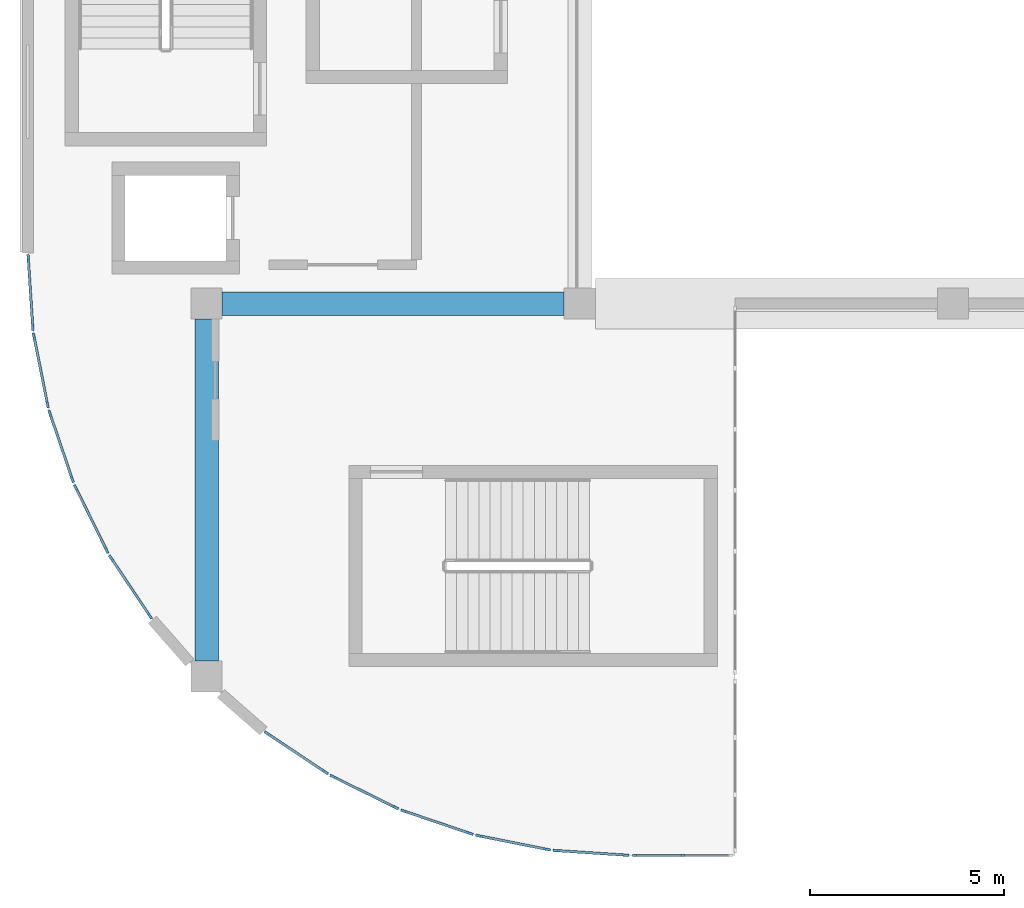
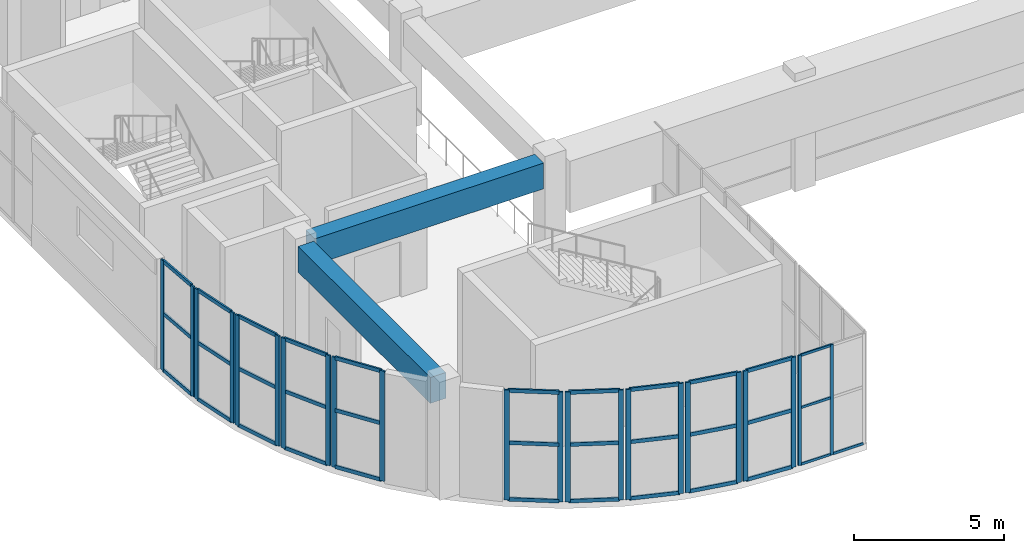
# One storey, part 2 of 33: 56 members, 2 beams, 11 elements without a shape of their own.
"""IFC4 building model written with IfcOpenShell, lengths in metres."""

from ifc_helpers import new_model, si_unit, direction, frame, origin, origin_2d, place, context, subcontext, project, spatial, rectangle, extrude, material, layer, layer_set, material_profile, profile_set, type_object, element, aggregate, save


model = new_model("IFC4")

# Units and contexts
model_context = context("Model", 3, precision=1e-05, world=origin(), true_north=direction((0.0, 1.0)))
body_context = subcontext(model_context, "Body", "Model", "MODEL_VIEW")
ifc_project = project(units=[si_unit("LENGTHUNIT", "METRE"), si_unit("AREAUNIT", "SQUARE_METRE"), si_unit("VOLUMEUNIT", "CUBIC_METRE"), si_unit("PLANEANGLEUNIT", "RADIAN"), si_unit("MASSUNIT", "GRAM", prefix="KILO")], contexts=[model_context])

# Site, building, storey
site_placement = place(None, origin())
site = spatial("IfcSite", under=ifc_project, at=site_placement, CompositionType="ELEMENT")
building_placement = place(site_placement, origin())
building = spatial("IfcBuilding", under=site, at=building_placement, Name="Cendralis Terraced Arcade", CompositionType="ELEMENT")
storey_placement = place(building_placement, frame((0.0, 0.0, 19.800048828125)))
storey = spatial("IfcBuildingStorey", under=building, at=storey_placement, Name="L04", CompositionType="ELEMENT", Elevation=19.800048828125)

# Beams
ifc_material_1 = material(Name="Concrete f'c 35 MPa", Category="concrete")
ifc_material_profile_1 = material_profile(ifc_material_1, rectangle(XDim=0.60009765625, YDim=1.050048828125, at=origin_2d()), Name="RC-BM-600x1050", Category="LoadBearing")
ifc_profile_set_1 = profile_set([ifc_material_profile_1], Name="Concrete f'c 35 MPa")
beam_type = type_object("IfcBeamType", Name="BM-600x1050", PredefinedType="JOIST", material=ifc_profile_set_1)
for number, where, z_axis, x_axis, name in (
    (1, (10.0, 19.199951171875, 3.954833984375), (1.0, 0.0, 0.0), (0.0, 1.0, 0.0), "Reinforced Concrete Frame Beam BM-X-L05-C-2_3"),
    (2, (9.60009765625, 10.0, 3.954833984375), (0.0, 1.0, 0.0), (-1.0, 0.0, 0.0), "Reinforced Concrete Frame Beam BM-Y-L05-2-B_C"),
):
    element("IfcBeam", number, at=place(storey_placement, frame(where, z_axis=z_axis, x_axis=x_axis)), inside=storey, type_object=beam_type, Name=name, PredefinedType="JOIST", context=body_context, shape_type="SweptSolid", body=[
        extrude(rectangle(XDim=0.60009765625, YDim=1.050048828125, at=origin_2d()), origin(), (0.0, 0.0, 1.0), 8.800048828125),
    ])

# Curtain wall, members
ifc_material_2 = material(Name="Anodised aluminium EN AW-6063 T6", Category="aluminium")
ifc_layer_1 = layer(ifc_material_2, 0.1201171875, Name="CW-STORE-B")
ifc_layer_set_1 = layer_set([ifc_layer_1], Name="Anodised aluminium EN AW-6063 T6")
curtain_wall_type_1 = type_object("IfcCurtainWallType", Name="CW-STORE-B", PredefinedType="USERDEFINED", material=ifc_layer_set_1)
curtain_wall_1_placement = place(storey_placement, origin())
curtain_wall_1 = element("IfcCurtainWall", 3, at=curtain_wall_1_placement, inside=storey, type_object=curtain_wall_type_1, Name="Exterior Storefront Glazing CW-L04-0353", ObjectType="STOREFRONT GLAZING", PredefinedType="USERDEFINED")
ifc_material_profile_2 = material_profile(ifc_material_2, rectangle(XDim=0.054931640625, YDim=0.1201171875, at=origin_2d()), Name="ALU-MUL-55x120")
ifc_profile_set_2 = profile_set([ifc_material_profile_2], Name="Anodised aluminium EN AW-6063 T6")
member_type_1 = type_object("IfcMemberType", Name="CW-STORE-B-MUL", PredefinedType="MULLION", material=ifc_profile_set_2)
member_1_placement = place(storey_placement, frame((21.85009765625, 5.0, 0.0), z_axis=(0.0, 0.0, 1.0), x_axis=(0.0, -1.0, 0.0)))
member_1 = element("IfcMember", 4, at=member_1_placement, type_object=member_type_1, Name="CW-S2 mullion 2", PredefinedType="MULLION", context=body_context, shape_type="SweptSolid", body=[
    extrude(rectangle(XDim=0.054931640625, YDim=0.1201171875, at=origin_2d()), origin(), (0.0, 0.0, 1.0), 4.47998046875),
])
member_2_placement = place(storey_placement, frame((20.617431640625, 5.0, 0.0), z_axis=(0.0, 0.0, 1.0), x_axis=(0.0, -1.0, 0.0)))
member_2 = element("IfcMember", 5, at=member_2_placement, type_object=member_type_1, Name="CW-S2 mullion 3", PredefinedType="MULLION", context=body_context, shape_type="SweptSolid", body=[
    extrude(rectangle(XDim=0.054931640625, YDim=0.1201171875, at=origin_2d()), origin(), (0.0, 0.0, 1.0), 4.47998046875),
])
ifc_material_profile_3 = material_profile(ifc_material_2, rectangle(XDim=0.054931640625, YDim=0.10009765625, at=origin_2d()), Name="ALU-TRN-55x100")
ifc_profile_set_3 = profile_set([ifc_material_profile_3], Name="Anodised aluminium EN AW-6063 T6")
member_type_2 = type_object("IfcMemberType", Name="CW-STORE-B-TRN", PredefinedType="USERDEFINED", material=ifc_profile_set_3)
member_3_placement = place(storey_placement, frame((23.054931640625, 5.0, 0.02734375), z_axis=(-1.0, 0.0, 0.0), x_axis=(0.0, -1.0, 0.0)))
member_3 = element("IfcMember", 6, at=member_3_placement, type_object=member_type_2, Name="CW-S2 transom 1.1", ObjectType="TRANSOM", PredefinedType="USERDEFINED", context=body_context, shape_type="SweptSolid", body=[
    extrude(rectangle(XDim=0.054931640625, YDim=0.10009765625, at=origin_2d()), origin(), (0.0, 0.0, 1.0), 1.177490234375),
])
member_4_placement = place(storey_placement, frame((21.822509765625, 5.0, 0.02734375), z_axis=(-1.0, 0.0, 0.0), x_axis=(0.0, -1.0, 0.0)))
member_4 = element("IfcMember", 7, at=member_4_placement, type_object=member_type_2, Name="CW-S2 transom 2.1", ObjectType="TRANSOM", PredefinedType="USERDEFINED", context=body_context, shape_type="SweptSolid", body=[
    extrude(rectangle(XDim=0.054931640625, YDim=0.10009765625, at=origin_2d()), origin(), (0.0, 0.0, 1.0), 1.177490234375),
])
member_5_placement = place(storey_placement, frame((21.822509765625, 5.0, 2.32958984375), z_axis=(-1.0, 0.0, 0.0), x_axis=(0.0, -1.0, 0.0)))
member_5 = element("IfcMember", 8, at=member_5_placement, type_object=member_type_2, Name="CW-S2 transom 2.2", ObjectType="TRANSOM", PredefinedType="USERDEFINED", context=body_context, shape_type="SweptSolid", body=[
    extrude(rectangle(XDim=0.054931640625, YDim=0.10009765625, at=origin_2d()), origin(), (0.0, 0.0, 1.0), 1.177490234375),
])
member_6_placement = place(storey_placement, frame((21.822509765625, 5.0, 4.452392578125), z_axis=(-1.0, 0.0, 0.0), x_axis=(0.0, -1.0, 0.0)))
member_6 = element("IfcMember", 9, at=member_6_placement, type_object=member_type_2, Name="CW-S2 transom 2.3", ObjectType="TRANSOM", PredefinedType="USERDEFINED", context=body_context, shape_type="SweptSolid", body=[
    extrude(rectangle(XDim=0.054931640625, YDim=0.10009765625, at=origin_2d()), origin(), (0.0, 0.0, 1.0), 1.177490234375),
])
aggregate(curtain_wall_1, [member_1, member_2, member_3, member_4, member_5, member_6])

ifc_layer_2 = layer(ifc_material_2, 0.179931640625, Name="CW-UNIT-A")
ifc_layer_set_2 = layer_set([ifc_layer_2], Name="Anodised aluminium EN AW-6063 T6")
curtain_wall_type_2 = type_object("IfcCurtainWallType", Name="CW-UNIT-A", PredefinedType="USERDEFINED", material=ifc_layer_set_2)
curtain_wall_2_placement = place(storey_placement, origin())
curtain_wall_2 = element("IfcCurtainWall", 10, at=curtain_wall_2_placement, inside=storey, type_object=curtain_wall_type_2, Name="Exterior Unitised Facade CW-L04-0354", ObjectType="UNITISED FACADE", PredefinedType="USERDEFINED")
ifc_material_profile_4 = material_profile(ifc_material_2, rectangle(XDim=0.06494140625, YDim=0.179931640625, at=origin_2d()), Name="ALU-MUL-65x180")
ifc_profile_set_4 = profile_set([ifc_material_profile_4], Name="Anodised aluminium EN AW-6063 T6")
member_type_3 = type_object("IfcMemberType", Name="CW-UNIT-A-MUL", PredefinedType="MULLION", material=ifc_profile_set_4)
member_7_placement = place(storey_placement, frame((20.377685546875, 5.008056640625, 0.0), z_axis=(0.0, 0.0, 1.0), x_axis=(-0.065383766124, -0.997860192175, 0.0)))
member_7 = element("IfcMember", 11, at=member_7_placement, type_object=member_type_3, Name="CW-U1 mullion 1", PredefinedType="MULLION", context=body_context, shape_type="SweptSolid", body=[
    extrude(rectangle(XDim=0.06494140625, YDim=0.179931640625, at=origin_2d()), origin(), (0.0, 0.0, 1.0), 4.47998046875),
])
member_8_placement = place(storey_placement, frame((18.59912109375, 5.12451171875, 0.0), z_axis=(0.0, 0.0, 1.0), x_axis=(-0.065383766124, -0.997860192175, 0.0)))
member_8 = element("IfcMember", 12, at=member_8_placement, type_object=member_type_3, Name="CW-U1 mullion 2", PredefinedType="MULLION", context=body_context, shape_type="SweptSolid", body=[
    extrude(rectangle(XDim=0.06494140625, YDim=0.179931640625, at=origin_2d()), origin(), (0.0, 0.0, 1.0), 4.47998046875),
])

curtain_wall_3_placement = place(storey_placement, origin())
curtain_wall_3 = element("IfcCurtainWall", 13, at=curtain_wall_3_placement, inside=storey, type_object=curtain_wall_type_2, Name="Exterior Unitised Facade CW-L04-0355", ObjectType="UNITISED FACADE", PredefinedType="USERDEFINED")
member_9_placement = place(storey_placement, frame((18.356689453125, 5.156494140625, 0.0), z_axis=(0.0, 0.0, 1.0), x_axis=(-0.195033398913, -0.980796601395, 0.0)))
member_9 = element("IfcMember", 14, at=member_9_placement, type_object=member_type_3, Name="CW-U1 mullion 1", PredefinedType="MULLION", context=body_context, shape_type="SweptSolid", body=[
    extrude(rectangle(XDim=0.06494140625, YDim=0.179931640625, at=origin_2d()), origin(), (0.0, 0.0, 1.0), 4.47998046875),
])
member_10_placement = place(storey_placement, frame((16.6083984375, 5.504150390625, 0.0), z_axis=(0.0, 0.0, 1.0), x_axis=(-0.195033398913, -0.980796601395, 0.0)))
member_10 = element("IfcMember", 15, at=member_10_placement, type_object=member_type_3, Name="CW-U1 mullion 2", PredefinedType="MULLION", context=body_context, shape_type="SweptSolid", body=[
    extrude(rectangle(XDim=0.06494140625, YDim=0.179931640625, at=origin_2d()), origin(), (0.0, 0.0, 1.0), 4.47998046875),
])

curtain_wall_4_placement = place(storey_placement, origin())
curtain_wall_4 = element("IfcCurtainWall", 16, at=curtain_wall_4_placement, inside=storey, type_object=curtain_wall_type_2, Name="Exterior Unitised Facade CW-L04-0356", ObjectType="UNITISED FACADE", PredefinedType="USERDEFINED")
member_11_placement = place(storey_placement, frame((16.372314453125, 5.5673828125, 0.0), z_axis=(0.0, 0.0, 1.0), x_axis=(-0.32150002033, -0.946909571674, 0.0)))
member_11 = element("IfcMember", 17, at=member_11_placement, type_object=member_type_3, Name="CW-U1 mullion 1", PredefinedType="MULLION", context=body_context, shape_type="SweptSolid", body=[
    extrude(rectangle(XDim=0.06494140625, YDim=0.179931640625, at=origin_2d()), origin(), (0.0, 0.0, 1.0), 4.47998046875),
])
member_12_placement = place(storey_placement, frame((14.684326171875, 6.140625, 0.0), z_axis=(0.0, 0.0, 1.0), x_axis=(-0.32150002033, -0.946909571674, 0.0)))
member_12 = element("IfcMember", 18, at=member_12_placement, type_object=member_type_3, Name="CW-U1 mullion 2", PredefinedType="MULLION", context=body_context, shape_type="SweptSolid", body=[
    extrude(rectangle(XDim=0.06494140625, YDim=0.179931640625, at=origin_2d()), origin(), (0.0, 0.0, 1.0), 4.47998046875),
])

curtain_wall_5_placement = place(storey_placement, origin())
curtain_wall_5 = element("IfcCurtainWall", 19, at=curtain_wall_5_placement, inside=storey, type_object=curtain_wall_type_2, Name="Exterior Unitised Facade CW-L04-0357", ObjectType="UNITISED FACADE", PredefinedType="USERDEFINED")
member_13_placement = place(storey_placement, frame((14.45849609375, 6.234130859375, 0.0), z_axis=(0.0, 0.0, 1.0), x_axis=(-0.442270416572, -0.896881752867, 0.0)))
member_13 = element("IfcMember", 20, at=member_13_placement, type_object=member_type_3, Name="CW-U1 mullion 1", PredefinedType="MULLION", context=body_context, shape_type="SweptSolid", body=[
    extrude(rectangle(XDim=0.06494140625, YDim=0.179931640625, at=origin_2d()), origin(), (0.0, 0.0, 1.0), 4.47998046875),
])
member_14_placement = place(storey_placement, frame((12.85986328125, 7.0224609375, 0.0), z_axis=(0.0, 0.0, 1.0), x_axis=(-0.442270416572, -0.896881752867, 0.0)))
member_14 = element("IfcMember", 21, at=member_14_placement, type_object=member_type_3, Name="CW-U1 mullion 2", PredefinedType="MULLION", context=body_context, shape_type="SweptSolid", body=[
    extrude(rectangle(XDim=0.06494140625, YDim=0.179931640625, at=origin_2d()), origin(), (0.0, 0.0, 1.0), 4.47998046875),
])

curtain_wall_6_placement = place(storey_placement, origin())
curtain_wall_6 = element("IfcCurtainWall", 22, at=curtain_wall_6_placement, inside=storey, type_object=curtain_wall_type_2, Name="Exterior Unitised Facade CW-L04-0358", ObjectType="UNITISED FACADE", PredefinedType="USERDEFINED")
member_15_placement = place(storey_placement, frame((12.648193359375, 7.144775390625, 0.0), z_axis=(0.0, 0.0, 1.0), x_axis=(-0.555549269065, -0.831483619587, 0.0)))
member_15 = element("IfcMember", 23, at=member_15_placement, type_object=member_type_3, Name="CW-U1 mullion 1", PredefinedType="MULLION", context=body_context, shape_type="SweptSolid", body=[
    extrude(rectangle(XDim=0.06494140625, YDim=0.179931640625, at=origin_2d()), origin(), (0.0, 0.0, 1.0), 4.47998046875),
])
member_16_placement = place(storey_placement, frame((11.166015625, 8.135009765625, 0.0), z_axis=(0.0, 0.0, 1.0), x_axis=(-0.555549269065, -0.831483619587, 0.0)))
member_16 = element("IfcMember", 24, at=member_16_placement, type_object=member_type_3, Name="CW-U1 mullion 2", PredefinedType="MULLION", context=body_context, shape_type="SweptSolid", body=[
    extrude(rectangle(XDim=0.06494140625, YDim=0.179931640625, at=origin_2d()), origin(), (0.0, 0.0, 1.0), 4.47998046875),
])

curtain_wall_7_placement = place(storey_placement, origin())
curtain_wall_7 = element("IfcCurtainWall", 25, at=curtain_wall_7_placement, inside=storey, type_object=curtain_wall_type_2, Name="Exterior Unitised Facade CW-L04-0359", ObjectType="UNITISED FACADE", PredefinedType="USERDEFINED")
member_17_placement = place(storey_placement, frame((8.135009765625, 11.166015625, 0.0), z_axis=(0.0, 0.0, 1.0), x_axis=(-0.831483619587, -0.555549269065, 0.0)))
member_17 = element("IfcMember", 26, at=member_17_placement, type_object=member_type_3, Name="CW-U1 mullion 1", PredefinedType="MULLION", context=body_context, shape_type="SweptSolid", body=[
    extrude(rectangle(XDim=0.06494140625, YDim=0.179931640625, at=origin_2d()), origin(), (0.0, 0.0, 1.0), 4.47998046875),
])
member_18_placement = place(storey_placement, frame((7.144775390625, 12.648193359375, 0.0), z_axis=(0.0, 0.0, 1.0), x_axis=(-0.831483619587, -0.555549269065, 0.0)))
member_18 = element("IfcMember", 27, at=member_18_placement, type_object=member_type_3, Name="CW-U1 mullion 2", PredefinedType="MULLION", context=body_context, shape_type="SweptSolid", body=[
    extrude(rectangle(XDim=0.06494140625, YDim=0.179931640625, at=origin_2d()), origin(), (0.0, 0.0, 1.0), 4.47998046875),
])

curtain_wall_8_placement = place(storey_placement, origin())
curtain_wall_8 = element("IfcCurtainWall", 28, at=curtain_wall_8_placement, inside=storey, type_object=curtain_wall_type_2, Name="Exterior Unitised Facade CW-L04-0360", ObjectType="UNITISED FACADE", PredefinedType="USERDEFINED")
member_19_placement = place(storey_placement, frame((7.0224609375, 12.85986328125, 0.0), z_axis=(0.0, 0.0, 1.0), x_axis=(-0.896881752867, -0.442270416572, 0.0)))
member_19 = element("IfcMember", 29, at=member_19_placement, type_object=member_type_3, Name="CW-U1 mullion 1", PredefinedType="MULLION", context=body_context, shape_type="SweptSolid", body=[
    extrude(rectangle(XDim=0.06494140625, YDim=0.179931640625, at=origin_2d()), origin(), (0.0, 0.0, 1.0), 4.47998046875),
])
member_20_placement = place(storey_placement, frame((6.234130859375, 14.45849609375, 0.0), z_axis=(0.0, 0.0, 1.0), x_axis=(-0.896881752867, -0.442270416572, 0.0)))
member_20 = element("IfcMember", 30, at=member_20_placement, type_object=member_type_3, Name="CW-U1 mullion 2", PredefinedType="MULLION", context=body_context, shape_type="SweptSolid", body=[
    extrude(rectangle(XDim=0.06494140625, YDim=0.179931640625, at=origin_2d()), origin(), (0.0, 0.0, 1.0), 4.47998046875),
])

curtain_wall_9_placement = place(storey_placement, origin())
curtain_wall_9 = element("IfcCurtainWall", 31, at=curtain_wall_9_placement, inside=storey, type_object=curtain_wall_type_2, Name="Exterior Unitised Facade CW-L04-0361", ObjectType="UNITISED FACADE", PredefinedType="USERDEFINED")
member_21_placement = place(storey_placement, frame((6.140625, 14.684326171875, 0.0), z_axis=(0.0, 0.0, 1.0), x_axis=(-0.946909571674, -0.32150002033, 0.0)))
member_21 = element("IfcMember", 32, at=member_21_placement, type_object=member_type_3, Name="CW-U1 mullion 1", PredefinedType="MULLION", context=body_context, shape_type="SweptSolid", body=[
    extrude(rectangle(XDim=0.06494140625, YDim=0.179931640625, at=origin_2d()), origin(), (0.0, 0.0, 1.0), 4.47998046875),
])
member_22_placement = place(storey_placement, frame((5.5673828125, 16.372314453125, 0.0), z_axis=(0.0, 0.0, 1.0), x_axis=(-0.946909571674, -0.32150002033, 0.0)))
member_22 = element("IfcMember", 33, at=member_22_placement, type_object=member_type_3, Name="CW-U1 mullion 2", PredefinedType="MULLION", context=body_context, shape_type="SweptSolid", body=[
    extrude(rectangle(XDim=0.06494140625, YDim=0.179931640625, at=origin_2d()), origin(), (0.0, 0.0, 1.0), 4.47998046875),
])

curtain_wall_10_placement = place(storey_placement, origin())
curtain_wall_10 = element("IfcCurtainWall", 34, at=curtain_wall_10_placement, inside=storey, type_object=curtain_wall_type_2, Name="Exterior Unitised Facade CW-L04-0362", ObjectType="UNITISED FACADE", PredefinedType="USERDEFINED")
member_23_placement = place(storey_placement, frame((5.504150390625, 16.6083984375, 0.0), z_axis=(0.0, 0.0, 1.0), x_axis=(-0.980796601395, -0.195033398913, 0.0)))
member_23 = element("IfcMember", 35, at=member_23_placement, type_object=member_type_3, Name="CW-U1 mullion 1", PredefinedType="MULLION", context=body_context, shape_type="SweptSolid", body=[
    extrude(rectangle(XDim=0.06494140625, YDim=0.179931640625, at=origin_2d()), origin(), (0.0, 0.0, 1.0), 4.47998046875),
])
member_24_placement = place(storey_placement, frame((5.156494140625, 18.356689453125, 0.0), z_axis=(0.0, 0.0, 1.0), x_axis=(-0.980796601395, -0.195033398913, 0.0)))
member_24 = element("IfcMember", 36, at=member_24_placement, type_object=member_type_3, Name="CW-U1 mullion 2", PredefinedType="MULLION", context=body_context, shape_type="SweptSolid", body=[
    extrude(rectangle(XDim=0.06494140625, YDim=0.179931640625, at=origin_2d()), origin(), (0.0, 0.0, 1.0), 4.47998046875),
])

curtain_wall_11_placement = place(storey_placement, origin())
curtain_wall_11 = element("IfcCurtainWall", 37, at=curtain_wall_11_placement, inside=storey, type_object=curtain_wall_type_2, Name="Exterior Unitised Facade CW-L04-0363", ObjectType="UNITISED FACADE", PredefinedType="USERDEFINED")
member_25_placement = place(storey_placement, frame((5.12451171875, 18.59912109375, 0.0), z_axis=(0.0, 0.0, 1.0), x_axis=(-0.997860192175, -0.065383766124, 0.0)))
member_25 = element("IfcMember", 38, at=member_25_placement, type_object=member_type_3, Name="CW-U1 mullion 1", PredefinedType="MULLION", context=body_context, shape_type="SweptSolid", body=[
    extrude(rectangle(XDim=0.06494140625, YDim=0.179931640625, at=origin_2d()), origin(), (0.0, 0.0, 1.0), 4.47998046875),
])
member_26_placement = place(storey_placement, frame((5.008056640625, 20.377685546875, 0.0), z_axis=(0.0, 0.0, 1.0), x_axis=(-0.997860192175, -0.065383766124, 0.0)))
member_26 = element("IfcMember", 39, at=member_26_placement, type_object=member_type_3, Name="CW-U1 mullion 2", PredefinedType="MULLION", context=body_context, shape_type="SweptSolid", body=[
    extrude(rectangle(XDim=0.06494140625, YDim=0.179931640625, at=origin_2d()), origin(), (0.0, 0.0, 1.0), 4.47998046875),
])

# Member
ifc_material_profile_5 = material_profile(ifc_material_2, rectangle(XDim=0.06494140625, YDim=0.14990234375, at=origin_2d()), Name="ALU-TRN-65x150")
ifc_profile_set_5 = profile_set([ifc_material_profile_5], Name="Anodised aluminium EN AW-6063 T6")
member_type_4 = type_object("IfcMemberType", Name="CW-UNIT-A-TRN", PredefinedType="USERDEFINED", material=ifc_profile_set_5)
member_27_placement = place(storey_placement, frame((20.345458984375, 5.01025390625, 0.032470703125), z_axis=(-0.997860598557, 0.065377563785, 0.0), x_axis=(-0.065377563785, -0.997860598557, 0.0)))
member_27 = element("IfcMember", 40, at=member_27_placement, type_object=member_type_4, Name="CW-U1 transom 1.1", ObjectType="TRANSOM", PredefinedType="USERDEFINED", context=body_context, shape_type="SweptSolid", body=[
    extrude(rectangle(XDim=0.06494140625, YDim=0.14990234375, at=origin_2d()), origin(), (0.0, 0.0, 1.0), 1.7177734375),
])

member_28_placement = place(storey_placement, frame((20.345458984375, 5.01025390625, 2.32958984375), z_axis=(-0.997860598557, 0.065377563785, 0.0), x_axis=(-0.065377563785, -0.997860598557, 0.0)))
member_28 = element("IfcMember", 41, at=member_28_placement, type_object=member_type_4, Name="CW-U1 transom 1.2", ObjectType="TRANSOM", PredefinedType="USERDEFINED", context=body_context, shape_type="SweptSolid", body=[
    extrude(rectangle(XDim=0.06494140625, YDim=0.14990234375, at=origin_2d()), origin(), (0.0, 0.0, 1.0), 1.7177734375),
])

member_29_placement = place(storey_placement, frame((20.345458984375, 5.01025390625, 4.447509765625), z_axis=(-0.997860598557, 0.065377563785, 0.0), x_axis=(-0.065377563785, -0.997860598557, 0.0)))
member_29 = element("IfcMember", 42, at=member_29_placement, type_object=member_type_4, Name="CW-U1 transom 1.3", ObjectType="TRANSOM", PredefinedType="USERDEFINED", context=body_context, shape_type="SweptSolid", body=[
    extrude(rectangle(XDim=0.06494140625, YDim=0.14990234375, at=origin_2d()), origin(), (0.0, 0.0, 1.0), 1.7177734375),
])

aggregate(curtain_wall_2, [member_7, member_8, member_27, member_28, member_29])

member_30_placement = place(storey_placement, frame((18.32470703125, 5.162841796875, 0.032470703125), z_axis=(-0.980793342855, 0.195049784954, 0.0), x_axis=(-0.195049784954, -0.980793342855, 0.0)))
member_30 = element("IfcMember", 43, at=member_30_placement, type_object=member_type_4, Name="CW-U1 transom 1.1", ObjectType="TRANSOM", PredefinedType="USERDEFINED", context=body_context, shape_type="SweptSolid", body=[
    extrude(rectangle(XDim=0.06494140625, YDim=0.14990234375, at=origin_2d()), origin(), (0.0, 0.0, 1.0), 1.71728515625),
])

member_31_placement = place(storey_placement, frame((18.32470703125, 5.162841796875, 2.32958984375), z_axis=(-0.980793342855, 0.195049784954, 0.0), x_axis=(-0.195049784954, -0.980793342855, 0.0)))
member_31 = element("IfcMember", 44, at=member_31_placement, type_object=member_type_4, Name="CW-U1 transom 1.2", ObjectType="TRANSOM", PredefinedType="USERDEFINED", context=body_context, shape_type="SweptSolid", body=[
    extrude(rectangle(XDim=0.06494140625, YDim=0.14990234375, at=origin_2d()), origin(), (0.0, 0.0, 1.0), 1.71728515625),
])

member_32_placement = place(storey_placement, frame((18.32470703125, 5.162841796875, 4.447509765625), z_axis=(-0.980793342855, 0.195049784954, 0.0), x_axis=(-0.195049784954, -0.980793342855, 0.0)))
member_32 = element("IfcMember", 45, at=member_32_placement, type_object=member_type_4, Name="CW-U1 transom 1.3", ObjectType="TRANSOM", PredefinedType="USERDEFINED", context=body_context, shape_type="SweptSolid", body=[
    extrude(rectangle(XDim=0.06494140625, YDim=0.14990234375, at=origin_2d()), origin(), (0.0, 0.0, 1.0), 1.71728515625),
])

aggregate(curtain_wall_3, [member_9, member_10, member_30, member_31, member_32])

member_33_placement = place(storey_placement, frame((16.341552734375, 5.577880859375, 0.032470703125), z_axis=(-0.946906084256, 0.321510291592, 0.0), x_axis=(-0.321510291592, -0.946906084256, 0.0)))
member_33 = element("IfcMember", 46, at=member_33_placement, type_object=member_type_4, Name="CW-U1 transom 1.1", ObjectType="TRANSOM", PredefinedType="USERDEFINED", context=body_context, shape_type="SweptSolid", body=[
    extrude(rectangle(XDim=0.06494140625, YDim=0.14990234375, at=origin_2d()), origin(), (0.0, 0.0, 1.0), 1.7177734375),
])

member_34_placement = place(storey_placement, frame((16.341552734375, 5.577880859375, 2.32958984375), z_axis=(-0.946906084256, 0.321510291592, 0.0), x_axis=(-0.321510291592, -0.946906084256, 0.0)))
member_34 = element("IfcMember", 47, at=member_34_placement, type_object=member_type_4, Name="CW-U1 transom 1.2", ObjectType="TRANSOM", PredefinedType="USERDEFINED", context=body_context, shape_type="SweptSolid", body=[
    extrude(rectangle(XDim=0.06494140625, YDim=0.14990234375, at=origin_2d()), origin(), (0.0, 0.0, 1.0), 1.7177734375),
])

member_35_placement = place(storey_placement, frame((16.341552734375, 5.577880859375, 4.447509765625), z_axis=(-0.946906084256, 0.321510291592, 0.0), x_axis=(-0.321510291592, -0.946906084256, 0.0)))
member_35 = element("IfcMember", 48, at=member_35_placement, type_object=member_type_4, Name="CW-U1 transom 1.3", ObjectType="TRANSOM", PredefinedType="USERDEFINED", context=body_context, shape_type="SweptSolid", body=[
    extrude(rectangle(XDim=0.06494140625, YDim=0.14990234375, at=origin_2d()), origin(), (0.0, 0.0, 1.0), 1.7177734375),
])

aggregate(curtain_wall_4, [member_11, member_12, member_33, member_34, member_35])

member_36_placement = place(storey_placement, frame((14.429443359375, 6.24853515625, 0.032470703125), z_axis=(-0.896914892552, 0.442203206138, 0.0), x_axis=(-0.442203206138, -0.896914892552, 0.0)))
member_36 = element("IfcMember", 49, at=member_36_placement, type_object=member_type_4, Name="CW-U1 transom 1.1", ObjectType="TRANSOM", PredefinedType="USERDEFINED", context=body_context, shape_type="SweptSolid", body=[
    extrude(rectangle(XDim=0.06494140625, YDim=0.14990234375, at=origin_2d()), origin(), (0.0, 0.0, 1.0), 1.717529296875),
])

member_37_placement = place(storey_placement, frame((14.429443359375, 6.24853515625, 2.32958984375), z_axis=(-0.896914892552, 0.442203206138, 0.0), x_axis=(-0.442203206138, -0.896914892552, 0.0)))
member_37 = element("IfcMember", 50, at=member_37_placement, type_object=member_type_4, Name="CW-U1 transom 1.2", ObjectType="TRANSOM", PredefinedType="USERDEFINED", context=body_context, shape_type="SweptSolid", body=[
    extrude(rectangle(XDim=0.06494140625, YDim=0.14990234375, at=origin_2d()), origin(), (0.0, 0.0, 1.0), 1.717529296875),
])

member_38_placement = place(storey_placement, frame((14.429443359375, 6.24853515625, 4.447509765625), z_axis=(-0.896914892552, 0.442203206138, 0.0), x_axis=(-0.442203206138, -0.896914892552, 0.0)))
member_38 = element("IfcMember", 51, at=member_38_placement, type_object=member_type_4, Name="CW-U1 transom 1.3", ObjectType="TRANSOM", PredefinedType="USERDEFINED", context=body_context, shape_type="SweptSolid", body=[
    extrude(rectangle(XDim=0.06494140625, YDim=0.14990234375, at=origin_2d()), origin(), (0.0, 0.0, 1.0), 1.717529296875),
])

aggregate(curtain_wall_5, [member_13, member_14, member_36, member_37, member_38])

member_39_placement = place(storey_placement, frame((12.62109375, 7.16259765625, 0.032470703125), z_axis=(-0.831415557935, 0.555651122579, 0.0), x_axis=(-0.555651122579, -0.831415557935, 0.0)))
member_39 = element("IfcMember", 52, at=member_39_placement, type_object=member_type_4, Name="CW-U1 transom 1.1", ObjectType="TRANSOM", PredefinedType="USERDEFINED", context=body_context, shape_type="SweptSolid", body=[
    extrude(rectangle(XDim=0.06494140625, YDim=0.14990234375, at=origin_2d()), origin(), (0.0, 0.0, 1.0), 1.717529296875),
])

member_40_placement = place(storey_placement, frame((12.62109375, 7.16259765625, 2.32958984375), z_axis=(-0.831415557935, 0.555651122579, 0.0), x_axis=(-0.555651122579, -0.831415557935, 0.0)))
member_40 = element("IfcMember", 53, at=member_40_placement, type_object=member_type_4, Name="CW-U1 transom 1.2", ObjectType="TRANSOM", PredefinedType="USERDEFINED", context=body_context, shape_type="SweptSolid", body=[
    extrude(rectangle(XDim=0.06494140625, YDim=0.14990234375, at=origin_2d()), origin(), (0.0, 0.0, 1.0), 1.717529296875),
])

member_41_placement = place(storey_placement, frame((12.62109375, 7.16259765625, 4.447509765625), z_axis=(-0.831415557935, 0.555651122579, 0.0), x_axis=(-0.555651122579, -0.831415557935, 0.0)))
member_41 = element("IfcMember", 54, at=member_41_placement, type_object=member_type_4, Name="CW-U1 transom 1.3", ObjectType="TRANSOM", PredefinedType="USERDEFINED", context=body_context, shape_type="SweptSolid", body=[
    extrude(rectangle(XDim=0.06494140625, YDim=0.14990234375, at=origin_2d()), origin(), (0.0, 0.0, 1.0), 1.717529296875),
])

aggregate(curtain_wall_6, [member_15, member_16, member_39, member_40, member_41])

member_42_placement = place(storey_placement, frame((8.116943359375, 11.193115234375, 0.032470703125), z_axis=(-0.555651122579, 0.831415557935, 0.0), x_axis=(-0.831415557935, -0.555651122579, 0.0)))
member_42 = element("IfcMember", 55, at=member_42_placement, type_object=member_type_4, Name="CW-U1 transom 1.1", ObjectType="TRANSOM", PredefinedType="USERDEFINED", context=body_context, shape_type="SweptSolid", body=[
    extrude(rectangle(XDim=0.06494140625, YDim=0.14990234375, at=origin_2d()), origin(), (0.0, 0.0, 1.0), 1.717529296875),
])

member_43_placement = place(storey_placement, frame((8.116943359375, 11.193115234375, 2.32958984375), z_axis=(-0.555651122579, 0.831415557935, 0.0), x_axis=(-0.831415557935, -0.555651122579, 0.0)))
member_43 = element("IfcMember", 56, at=member_43_placement, type_object=member_type_4, Name="CW-U1 transom 1.2", ObjectType="TRANSOM", PredefinedType="USERDEFINED", context=body_context, shape_type="SweptSolid", body=[
    extrude(rectangle(XDim=0.06494140625, YDim=0.14990234375, at=origin_2d()), origin(), (0.0, 0.0, 1.0), 1.717529296875),
])

member_44_placement = place(storey_placement, frame((8.116943359375, 11.193115234375, 4.447509765625), z_axis=(-0.555651122579, 0.831415557935, 0.0), x_axis=(-0.831415557935, -0.555651122579, 0.0)))
member_44 = element("IfcMember", 57, at=member_44_placement, type_object=member_type_4, Name="CW-U1 transom 1.3", ObjectType="TRANSOM", PredefinedType="USERDEFINED", context=body_context, shape_type="SweptSolid", body=[
    extrude(rectangle(XDim=0.06494140625, YDim=0.14990234375, at=origin_2d()), origin(), (0.0, 0.0, 1.0), 1.717529296875),
])

aggregate(curtain_wall_7, [member_17, member_18, member_42, member_43, member_44])

member_45_placement = place(storey_placement, frame((7.008056640625, 12.888916015625, 0.032470703125), z_axis=(-0.442203206138, 0.896914892552, 0.0), x_axis=(-0.896914892552, -0.442203206138, 0.0)))
member_45 = element("IfcMember", 58, at=member_45_placement, type_object=member_type_4, Name="CW-U1 transom 1.1", ObjectType="TRANSOM", PredefinedType="USERDEFINED", context=body_context, shape_type="SweptSolid", body=[
    extrude(rectangle(XDim=0.06494140625, YDim=0.14990234375, at=origin_2d()), origin(), (0.0, 0.0, 1.0), 1.717529296875),
])

member_46_placement = place(storey_placement, frame((7.008056640625, 12.888916015625, 2.32958984375), z_axis=(-0.442203206138, 0.896914892552, 0.0), x_axis=(-0.896914892552, -0.442203206138, 0.0)))
member_46 = element("IfcMember", 59, at=member_46_placement, type_object=member_type_4, Name="CW-U1 transom 1.2", ObjectType="TRANSOM", PredefinedType="USERDEFINED", context=body_context, shape_type="SweptSolid", body=[
    extrude(rectangle(XDim=0.06494140625, YDim=0.14990234375, at=origin_2d()), origin(), (0.0, 0.0, 1.0), 1.717529296875),
])

member_47_placement = place(storey_placement, frame((7.008056640625, 12.888916015625, 4.447509765625), z_axis=(-0.442203206138, 0.896914892552, 0.0), x_axis=(-0.896914892552, -0.442203206138, 0.0)))
member_47 = element("IfcMember", 60, at=member_47_placement, type_object=member_type_4, Name="CW-U1 transom 1.3", ObjectType="TRANSOM", PredefinedType="USERDEFINED", context=body_context, shape_type="SweptSolid", body=[
    extrude(rectangle(XDim=0.06494140625, YDim=0.14990234375, at=origin_2d()), origin(), (0.0, 0.0, 1.0), 1.717529296875),
])

aggregate(curtain_wall_8, [member_19, member_20, member_45, member_46, member_47])

member_48_placement = place(storey_placement, frame((6.130126953125, 14.715087890625, 0.032470703125), z_axis=(-0.321510291592, 0.946906084256, 0.0), x_axis=(-0.946906084256, -0.321510291592, 0.0)))
member_48 = element("IfcMember", 61, at=member_48_placement, type_object=member_type_4, Name="CW-U1 transom 1.1", ObjectType="TRANSOM", PredefinedType="USERDEFINED", context=body_context, shape_type="SweptSolid", body=[
    extrude(rectangle(XDim=0.06494140625, YDim=0.14990234375, at=origin_2d()), origin(), (0.0, 0.0, 1.0), 1.7177734375),
])

member_49_placement = place(storey_placement, frame((6.130126953125, 14.715087890625, 2.32958984375), z_axis=(-0.321510291592, 0.946906084256, 0.0), x_axis=(-0.946906084256, -0.321510291592, 0.0)))
member_49 = element("IfcMember", 62, at=member_49_placement, type_object=member_type_4, Name="CW-U1 transom 1.2", ObjectType="TRANSOM", PredefinedType="USERDEFINED", context=body_context, shape_type="SweptSolid", body=[
    extrude(rectangle(XDim=0.06494140625, YDim=0.14990234375, at=origin_2d()), origin(), (0.0, 0.0, 1.0), 1.7177734375),
])

member_50_placement = place(storey_placement, frame((6.130126953125, 14.715087890625, 4.447509765625), z_axis=(-0.321510291592, 0.946906084256, 0.0), x_axis=(-0.946906084256, -0.321510291592, 0.0)))
member_50 = element("IfcMember", 63, at=member_50_placement, type_object=member_type_4, Name="CW-U1 transom 1.3", ObjectType="TRANSOM", PredefinedType="USERDEFINED", context=body_context, shape_type="SweptSolid", body=[
    extrude(rectangle(XDim=0.06494140625, YDim=0.14990234375, at=origin_2d()), origin(), (0.0, 0.0, 1.0), 1.7177734375),
])

aggregate(curtain_wall_9, [member_21, member_22, member_48, member_49, member_50])

member_51_placement = place(storey_placement, frame((5.497802734375, 16.640380859375, 0.032470703125), z_axis=(-0.195049784954, 0.980793342855, 0.0), x_axis=(-0.980793342855, -0.195049784954, 0.0)))
member_51 = element("IfcMember", 64, at=member_51_placement, type_object=member_type_4, Name="CW-U1 transom 1.1", ObjectType="TRANSOM", PredefinedType="USERDEFINED", context=body_context, shape_type="SweptSolid", body=[
    extrude(rectangle(XDim=0.06494140625, YDim=0.14990234375, at=origin_2d()), origin(), (0.0, 0.0, 1.0), 1.71728515625),
])

member_52_placement = place(storey_placement, frame((5.497802734375, 16.640380859375, 2.32958984375), z_axis=(-0.195049784954, 0.980793342855, 0.0), x_axis=(-0.980793342855, -0.195049784954, 0.0)))
member_52 = element("IfcMember", 65, at=member_52_placement, type_object=member_type_4, Name="CW-U1 transom 1.2", ObjectType="TRANSOM", PredefinedType="USERDEFINED", context=body_context, shape_type="SweptSolid", body=[
    extrude(rectangle(XDim=0.06494140625, YDim=0.14990234375, at=origin_2d()), origin(), (0.0, 0.0, 1.0), 1.71728515625),
])

member_53_placement = place(storey_placement, frame((5.497802734375, 16.640380859375, 4.447509765625), z_axis=(-0.195049784954, 0.980793342855, 0.0), x_axis=(-0.980793342855, -0.195049784954, 0.0)))
member_53 = element("IfcMember", 66, at=member_53_placement, type_object=member_type_4, Name="CW-U1 transom 1.3", ObjectType="TRANSOM", PredefinedType="USERDEFINED", context=body_context, shape_type="SweptSolid", body=[
    extrude(rectangle(XDim=0.06494140625, YDim=0.14990234375, at=origin_2d()), origin(), (0.0, 0.0, 1.0), 1.71728515625),
])

aggregate(curtain_wall_10, [member_23, member_24, member_51, member_52, member_53])

member_54_placement = place(storey_placement, frame((5.12255859375, 18.63134765625, 0.032470703125), z_axis=(-0.065377563785, 0.997860598557, 0.0), x_axis=(-0.997860598557, -0.065377563785, 0.0)))
member_54 = element("IfcMember", 67, at=member_54_placement, type_object=member_type_4, Name="CW-U1 transom 1.1", ObjectType="TRANSOM", PredefinedType="USERDEFINED", context=body_context, shape_type="SweptSolid", body=[
    extrude(rectangle(XDim=0.06494140625, YDim=0.14990234375, at=origin_2d()), origin(), (0.0, 0.0, 1.0), 1.7177734375),
])

member_55_placement = place(storey_placement, frame((5.12255859375, 18.63134765625, 2.32958984375), z_axis=(-0.065377563785, 0.997860598557, 0.0), x_axis=(-0.997860598557, -0.065377563785, 0.0)))
member_55 = element("IfcMember", 68, at=member_55_placement, type_object=member_type_4, Name="CW-U1 transom 1.2", ObjectType="TRANSOM", PredefinedType="USERDEFINED", context=body_context, shape_type="SweptSolid", body=[
    extrude(rectangle(XDim=0.06494140625, YDim=0.14990234375, at=origin_2d()), origin(), (0.0, 0.0, 1.0), 1.7177734375),
])

member_56_placement = place(storey_placement, frame((5.12255859375, 18.63134765625, 4.447509765625), z_axis=(-0.065377563785, 0.997860598557, 0.0), x_axis=(-0.997860598557, -0.065377563785, 0.0)))
member_56 = element("IfcMember", 69, at=member_56_placement, type_object=member_type_4, Name="CW-U1 transom 1.3", ObjectType="TRANSOM", PredefinedType="USERDEFINED", context=body_context, shape_type="SweptSolid", body=[
    extrude(rectangle(XDim=0.06494140625, YDim=0.14990234375, at=origin_2d()), origin(), (0.0, 0.0, 1.0), 1.7177734375),
])

aggregate(curtain_wall_11, [member_25, member_26, member_54, member_55, member_56])

save(model, "model.ifc")
